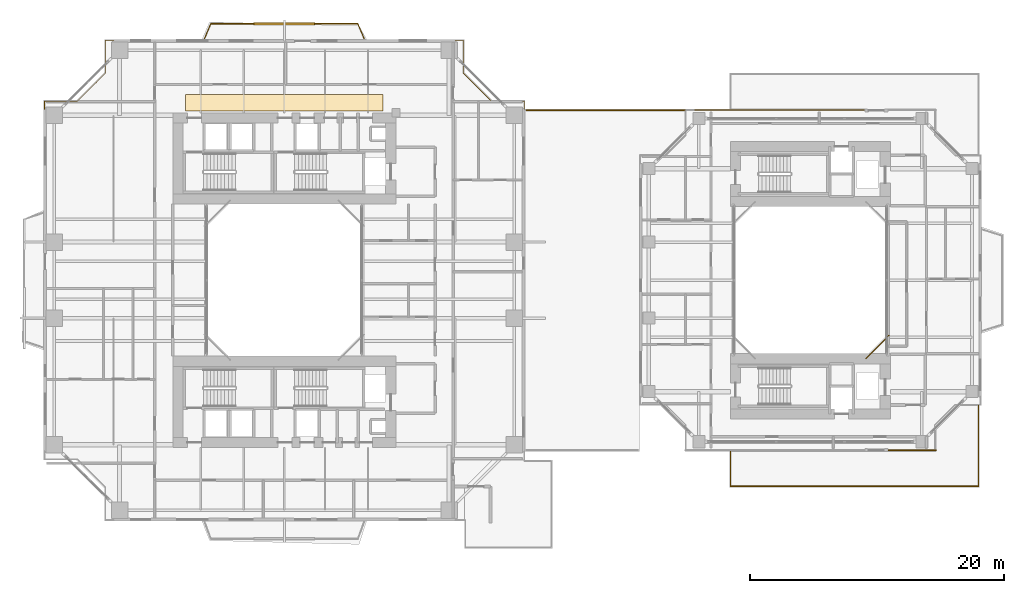
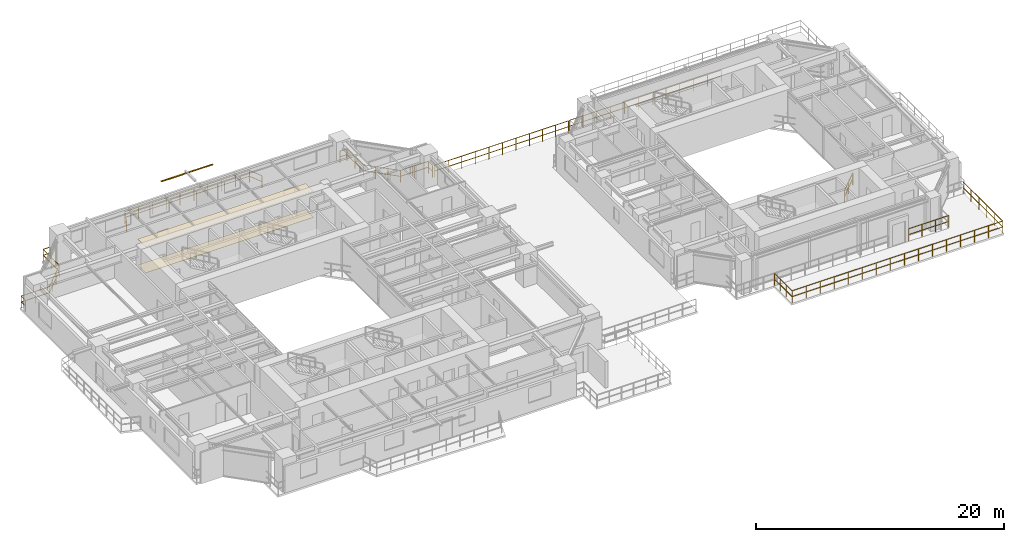
# One storey, part 21 of 22: 9 railings, 2 coverings, 1 shading device.
"""IFC4 building model written with IfcOpenShell, lengths in metres."""

from ifc_helpers import new_model, si_unit, direction, frame, origin, origin_2d, place, context, subcontext, project, spatial, polyline, rectangle, outline, extrude, source, transform, mapped, material, layer, layer_set, material_profile, profile_set, type_object, element, save


model = new_model("IFC4")

# Units and contexts
model_context = context("Model", 3, precision=1e-05, world=origin(), true_north=direction((0.0, 1.0)))
body_context = subcontext(model_context, "Body", "Model", "MODEL_VIEW")
ifc_project = project(units=[si_unit("LENGTHUNIT", "METRE"), si_unit("AREAUNIT", "SQUARE_METRE"), si_unit("VOLUMEUNIT", "CUBIC_METRE"), si_unit("PLANEANGLEUNIT", "RADIAN"), si_unit("MASSUNIT", "GRAM", prefix="KILO"), si_unit("THERMODYNAMICTEMPERATUREUNIT", "KELVIN"), si_unit("POWERUNIT", "WATT")], contexts=[model_context])

# Site, building, storey
site_placement = place(None, origin())
site = spatial("IfcSite", under=ifc_project, at=site_placement, CompositionType="ELEMENT")
building_placement = place(site_placement, origin())
building = spatial("IfcBuilding", under=site, at=building_placement, Name="Qiaomeng Ring Towers", CompositionType="ELEMENT")
storey_placement = place(building_placement, frame((0.0, 0.0, 23.0)))
storey = spatial("IfcBuildingStorey", under=building, at=storey_placement, Name="L05", CompositionType="ELEMENT", Elevation=23.0)

# Coverings
ifc_material_1 = material(Name="Moisture-resistant gypsum ceiling board", Category="gypsum")
ifc_layer_1 = layer(ifc_material_1, 0.030029296875, Name="Moisture-resistant gypsum ceiling board")
ifc_layer_set_1 = layer_set([ifc_layer_1], Name="Moisture-resistant gypsum ceiling board")
covering_type_1 = type_object("IfcCoveringType", Name="ARC-COV-CEIL2", PredefinedType="CEILING", material=ifc_layer_set_1)
covering_1_placement = place(storey_placement, frame((0.0, 0.0, 2.550048828125)))
element("IfcCovering", 1, at=covering_1_placement, inside=storey, type_object=covering_type_1, Name="L05 Corridor Acoustic Ceiling", PredefinedType="CEILING", context=body_context, shape_type="SweptSolid", body=[
    extrude(outline(polyline([(11.199951171875, 36.35009765625), (11.199951171875, 37.64990234375), (26.800048828125, 37.64990234375), (26.800048828125, 36.35009765625), (11.199951171875, 36.35009765625)])), origin(), (0.0, 0.0, 1.0), 0.02490234375),
])
ifc_material_2 = material(Name="Vitrified porcelain floor tile", Category="ceramic")
ifc_layer_2 = layer(ifc_material_2, 0.02001953125, Name="Vitrified porcelain floor tile")
ifc_layer_set_2 = layer_set([ifc_layer_2], Name="Vitrified porcelain floor tile")
covering_type_2 = type_object("IfcCoveringType", Name="ARC-COV-FLR1", PredefinedType="FLOORING", material=ifc_layer_set_2)
covering_2_placement = place(storey_placement, origin())
element("IfcCovering", 2, at=covering_2_placement, inside=storey, type_object=covering_type_2, Name="L05 Corridor Stone Flooring", PredefinedType="FLOORING", context=body_context, shape_type="SweptSolid", body=[
    extrude(outline(polyline([(11.199951171875, 36.35009765625), (11.199951171875, 37.64990234375), (26.800048828125, 37.64990234375), (26.800048828125, 36.35009765625), (11.199951171875, 36.35009765625)])), origin(), (0.0, 0.0, 1.0), 0.02001953125),
])

# Railings
ifc_material_3 = material(Name="Low-E pale-green laminated safety glass", Category="glass")
railing_type = type_object("IfcRailingType", Name="ARC-RL-BAL1", PredefinedType="BALUSTRADE", material=ifc_material_3)
railing_1_placement = place(storey_placement, frame((38.10009765625, 36.39990234375, 0.0)))
element("IfcRailing", 3, at=railing_1_placement, inside=storey, type_object=railing_type, Name="L05 Balustrade ARC-BAL-L05-POD-N", PredefinedType="BALUSTRADE", context=body_context, shape_type="SweptSolid", body=[
    extrude(rectangle(XDim=0.048095703125, YDim=0.048095703125, at=origin_2d()), frame((0.0, 0.0, 1.17578125), z_axis=(1.0, 0.0, 0.0), x_axis=(0.0, 1.0, 0.0)), (0.0, 0.0, 1.0), 8.7998046875),
    extrude(rectangle(XDim=0.048095703125, YDim=0.048095703125, at=origin_2d()), frame((0.0, 0.0, 0.60009765625), z_axis=(1.0, 0.0, 0.0), x_axis=(0.0, 1.0, 0.0)), (0.0, 0.0, 1.0), 8.7998046875),
    extrude(rectangle(XDim=0.0419921875, YDim=0.0419921875, at=origin_2d()), origin(), (0.0, 0.0, 1.0), 1.15185546875),
    extrude(rectangle(XDim=0.0419921875, YDim=0.0419921875, at=origin_2d()), frame((1.257080078125, 0.0, 0.0)), (0.0, 0.0, 1.0), 1.15185546875),
    extrude(rectangle(XDim=0.0419921875, YDim=0.0419921875, at=origin_2d()), frame((2.51416015625, 0.0, 0.0)), (0.0, 0.0, 1.0), 1.15185546875),
    extrude(rectangle(XDim=0.0419921875, YDim=0.0419921875, at=origin_2d()), frame((3.771240234375, 0.0, 0.0)), (0.0, 0.0, 1.0), 1.15185546875),
    extrude(rectangle(XDim=0.0419921875, YDim=0.0419921875, at=origin_2d()), frame((5.028564453125, 0.0, 0.0)), (0.0, 0.0, 1.0), 1.15185546875),
    extrude(rectangle(XDim=0.0419921875, YDim=0.0419921875, at=origin_2d()), frame((6.28564453125, 0.0, 0.0)), (0.0, 0.0, 1.0), 1.15185546875),
    extrude(rectangle(XDim=0.0419921875, YDim=0.0419921875, at=origin_2d()), frame((7.542724609375, 0.0, 0.0)), (0.0, 0.0, 1.0), 1.15185546875),
    extrude(rectangle(XDim=0.0419921875, YDim=0.0419921875, at=origin_2d()), frame((8.7998046875, 0.0, 0.0)), (0.0, 0.0, 1.0), 1.15185546875),
])
railing_2_placement = place(storey_placement, frame((37.919921875, 36.469970703125, 0.0)))
element("IfcRailing", 4, at=railing_2_placement, inside=storey, type_object=railing_type, Name="L05 Balustrade ARC-BAL-NOTCH1-L05-NE", PredefinedType="BALUSTRADE", context=body_context, shape_type="SweptSolid", body=[
    extrude(rectangle(XDim=0.048095703125, YDim=0.048095703125, at=origin_2d()), frame((0.0, 0.0, 1.17578125), z_axis=(0.0, 1.0, 0.0), x_axis=(-1.0, 0.0, 0.0)), (0.0, 0.0, 1.0), 0.650146484375),
    extrude(rectangle(XDim=0.048095703125, YDim=0.048095703125, at=origin_2d()), frame((0.0, 0.0, 0.60009765625), z_axis=(0.0, 1.0, 0.0), x_axis=(-1.0, 0.0, 0.0)), (0.0, 0.0, 1.0), 0.650146484375),
    extrude(rectangle(XDim=0.048095703125, YDim=0.048095703125, at=origin_2d()), frame((0.0, 0.650146484375, 1.17578125), z_axis=(-1.0, 0.0, 0.0), x_axis=(0.0, -1.0, 0.0)), (0.0, 0.0, 1.0), 2.599853515625),
    extrude(rectangle(XDim=0.048095703125, YDim=0.048095703125, at=origin_2d()), frame((0.0, 0.650146484375, 0.60009765625), z_axis=(-1.0, 0.0, 0.0), x_axis=(0.0, -1.0, 0.0)), (0.0, 0.0, 1.0), 2.599853515625),
    extrude(rectangle(XDim=0.048095703125, YDim=0.048095703125, at=origin_2d()), frame((-2.599853515625, 0.650146484375, 1.17578125), z_axis=(-0.707106781187, 0.707106781187, 0.0), x_axis=(-0.707106781187, -0.707106781187, 0.0)), (0.0, 0.0, 1.0), 3.111083984375),
    extrude(rectangle(XDim=0.048095703125, YDim=0.048095703125, at=origin_2d()), frame((-2.599853515625, 0.650146484375, 0.60009765625), z_axis=(-0.707106781187, 0.707106781187, 0.0), x_axis=(-0.707106781187, -0.707106781187, 0.0)), (0.0, 0.0, 1.0), 3.111083984375),
    extrude(rectangle(XDim=0.048095703125, YDim=0.048095703125, at=origin_2d()), frame((-4.7998046875, 2.85009765625, 1.17578125), z_axis=(0.0, 1.0, 0.0), x_axis=(-1.0, 0.0, 0.0)), (0.0, 0.0, 1.0), 2.599853515625),
    extrude(rectangle(XDim=0.048095703125, YDim=0.048095703125, at=origin_2d()), frame((-4.7998046875, 2.85009765625, 0.60009765625), z_axis=(0.0, 1.0, 0.0), x_axis=(-1.0, 0.0, 0.0)), (0.0, 0.0, 1.0), 2.599853515625),
    extrude(rectangle(XDim=0.048095703125, YDim=0.048095703125, at=origin_2d()), frame((-4.7998046875, 5.449951171875, 1.17578125), z_axis=(-1.0, 0.0, 0.0), x_axis=(0.0, -1.0, 0.0)), (0.0, 0.0, 1.0), 0.650146484375),
    extrude(rectangle(XDim=0.048095703125, YDim=0.048095703125, at=origin_2d()), frame((-4.7998046875, 5.449951171875, 0.60009765625), z_axis=(-1.0, 0.0, 0.0), x_axis=(0.0, -1.0, 0.0)), (0.0, 0.0, 1.0), 0.650146484375),
    extrude(rectangle(XDim=0.0419921875, YDim=0.0419921875, at=origin_2d()), origin(), (0.0, 0.0, 1.0), 1.15185546875),
    extrude(rectangle(XDim=0.0419921875, YDim=0.0419921875, at=origin_2d()), frame((0.0, 0.650146484375, 0.0)), (0.0, 0.0, 1.0), 1.15185546875),
    extrude(rectangle(XDim=0.0419921875, YDim=0.0419921875, at=origin_2d()), frame((-1.2998046875, 0.650146484375, 0.0)), (0.0, 0.0, 1.0), 1.15185546875),
    extrude(rectangle(XDim=0.0419921875, YDim=0.0419921875, at=origin_2d()), frame((-2.599853515625, 0.650146484375, 0.0)), (0.0, 0.0, 1.0), 1.15185546875),
    extrude(rectangle(XDim=0.0419921875, YDim=0.0419921875, at=origin_2d()), frame((-3.333251953125, 1.383544921875, 0.0)), (0.0, 0.0, 1.0), 1.15185546875),
    extrude(rectangle(XDim=0.0419921875, YDim=0.0419921875, at=origin_2d()), frame((-4.06640625, 2.11669921875, 0.0)), (0.0, 0.0, 1.0), 1.15185546875),
    extrude(rectangle(XDim=0.0419921875, YDim=0.0419921875, at=origin_2d()), frame((-4.7998046875, 2.85009765625, 0.0)), (0.0, 0.0, 1.0), 1.15185546875),
    extrude(rectangle(XDim=0.0419921875, YDim=0.0419921875, at=origin_2d()), frame((-4.7998046875, 4.14990234375, 0.0)), (0.0, 0.0, 1.0), 1.15185546875),
    extrude(rectangle(XDim=0.0419921875, YDim=0.0419921875, at=origin_2d()), frame((-4.7998046875, 5.449951171875, 0.0)), (0.0, 0.0, 1.0), 1.15185546875),
    extrude(rectangle(XDim=0.0419921875, YDim=0.0419921875, at=origin_2d()), frame((-5.449951171875, 5.449951171875, 0.0)), (0.0, 0.0, 1.0), 1.15185546875),
])
railing_3_placement = place(storey_placement, frame((5.530029296875, 41.919921875, 0.0)))
element("IfcRailing", 5, at=railing_3_placement, inside=storey, type_object=railing_type, Name="L05 Balustrade ARC-BAL-NOTCH1-L05-NW", PredefinedType="BALUSTRADE", context=body_context, shape_type="SweptSolid", body=[
    extrude(rectangle(XDim=0.048095703125, YDim=0.048095703125, at=origin_2d()), frame((0.0, 0.0, 1.17578125), z_axis=(-1.0, 0.0, 0.0), x_axis=(0.0, -1.0, 0.0)), (0.0, 0.0, 1.0), 0.650146484375),
    extrude(rectangle(XDim=0.048095703125, YDim=0.048095703125, at=origin_2d()), frame((0.0, 0.0, 0.60009765625), z_axis=(-1.0, 0.0, 0.0), x_axis=(0.0, -1.0, 0.0)), (0.0, 0.0, 1.0), 0.650146484375),
    extrude(rectangle(XDim=0.048095703125, YDim=0.048095703125, at=origin_2d()), frame((-0.650146484375, 0.0, 1.17578125), z_axis=(0.0, -1.0, 0.0), x_axis=(1.0, 0.0, 0.0)), (0.0, 0.0, 1.0), 2.599853515625),
    extrude(rectangle(XDim=0.048095703125, YDim=0.048095703125, at=origin_2d()), frame((-0.650146484375, 0.0, 0.60009765625), z_axis=(0.0, -1.0, 0.0), x_axis=(1.0, 0.0, 0.0)), (0.0, 0.0, 1.0), 2.599853515625),
    extrude(rectangle(XDim=0.048095703125, YDim=0.048095703125, at=origin_2d()), frame((-0.650146484375, -2.599853515625, 1.17578125), z_axis=(-0.707106781187, -0.707106781187, 0.0), x_axis=(0.707106781187, -0.707106781187, 0.0)), (0.0, 0.0, 1.0), 3.111083984375),
    extrude(rectangle(XDim=0.048095703125, YDim=0.048095703125, at=origin_2d()), frame((-0.650146484375, -2.599853515625, 0.60009765625), z_axis=(-0.707106781187, -0.707106781187, 0.0), x_axis=(0.707106781187, -0.707106781187, 0.0)), (0.0, 0.0, 1.0), 3.111083984375),
    extrude(rectangle(XDim=0.048095703125, YDim=0.048095703125, at=origin_2d()), frame((-2.85009765625, -4.7998046875, 1.17578125), z_axis=(-1.0, 0.0, 0.0), x_axis=(0.0, -1.0, 0.0)), (0.0, 0.0, 1.0), 2.599853515625),
    extrude(rectangle(XDim=0.048095703125, YDim=0.048095703125, at=origin_2d()), frame((-2.85009765625, -4.7998046875, 0.60009765625), z_axis=(-1.0, 0.0, 0.0), x_axis=(0.0, -1.0, 0.0)), (0.0, 0.0, 1.0), 2.599853515625),
    extrude(rectangle(XDim=0.048095703125, YDim=0.048095703125, at=origin_2d()), frame((-5.449951171875, -4.7998046875, 1.17578125), z_axis=(0.0, -1.0, 0.0), x_axis=(1.0, 0.0, 0.0)), (0.0, 0.0, 1.0), 0.650146484375),
    extrude(rectangle(XDim=0.048095703125, YDim=0.048095703125, at=origin_2d()), frame((-5.449951171875, -4.7998046875, 0.60009765625), z_axis=(0.0, -1.0, 0.0), x_axis=(1.0, 0.0, 0.0)), (0.0, 0.0, 1.0), 0.650146484375),
    extrude(rectangle(XDim=0.0419921875, YDim=0.0419921875, at=origin_2d()), origin(), (0.0, 0.0, 1.0), 1.15185546875),
    extrude(rectangle(XDim=0.0419921875, YDim=0.0419921875, at=origin_2d()), frame((-0.650146484375, 0.0, 0.0)), (0.0, 0.0, 1.0), 1.15185546875),
    extrude(rectangle(XDim=0.0419921875, YDim=0.0419921875, at=origin_2d()), frame((-0.650146484375, -1.2998046875, 0.0)), (0.0, 0.0, 1.0), 1.15185546875),
    extrude(rectangle(XDim=0.0419921875, YDim=0.0419921875, at=origin_2d()), frame((-0.650146484375, -2.599853515625, 0.0)), (0.0, 0.0, 1.0), 1.15185546875),
    extrude(rectangle(XDim=0.0419921875, YDim=0.0419921875, at=origin_2d()), frame((-1.383544921875, -3.333251953125, 0.0)), (0.0, 0.0, 1.0), 1.15185546875),
    extrude(rectangle(XDim=0.0419921875, YDim=0.0419921875, at=origin_2d()), frame((-2.11669921875, -4.06640625, 0.0)), (0.0, 0.0, 1.0), 1.15185546875),
    extrude(rectangle(XDim=0.0419921875, YDim=0.0419921875, at=origin_2d()), frame((-2.85009765625, -4.7998046875, 0.0)), (0.0, 0.0, 1.0), 1.15185546875),
    extrude(rectangle(XDim=0.0419921875, YDim=0.0419921875, at=origin_2d()), frame((-4.14990234375, -4.7998046875, 0.0)), (0.0, 0.0, 1.0), 1.15185546875),
    extrude(rectangle(XDim=0.0419921875, YDim=0.0419921875, at=origin_2d()), frame((-5.449951171875, -4.7998046875, 0.0)), (0.0, 0.0, 1.0), 1.15185546875),
    extrude(rectangle(XDim=0.0419921875, YDim=0.0419921875, at=origin_2d()), frame((-5.449951171875, -5.449951171875, 0.0)), (0.0, 0.0, 1.0), 1.15185546875),
])
railing_4_placement = place(storey_placement, frame((12.699951171875, 42.050048828125, 0.0)))
element("IfcRailing", 6, at=railing_4_placement, inside=storey, type_object=railing_type, Name="L05 Balustrade ARC-BAL-L05-T1-N", PredefinedType="BALUSTRADE", context=body_context, shape_type="SweptSolid", body=[
    extrude(rectangle(XDim=0.048095703125, YDim=0.048095703125, at=origin_2d()), frame((0.0, 0.0, 1.17578125), z_axis=(0.39299272826, 0.919541579014, 0.0), x_axis=(-0.919541579014, 0.39299272826, 0.0)), (0.0, 0.0, 1.0), 1.272216796875),
    extrude(rectangle(XDim=0.048095703125, YDim=0.048095703125, at=origin_2d()), frame((0.0, 0.0, 0.60009765625), z_axis=(0.39299272826, 0.919541579014, 0.0), x_axis=(-0.919541579014, 0.39299272826, 0.0)), (0.0, 0.0, 1.0), 1.272216796875),
    extrude(rectangle(XDim=0.048095703125, YDim=0.048095703125, at=origin_2d()), frame((0.5, 1.169921875, 1.17578125), z_axis=(1.0, 0.0, 0.0), x_axis=(0.0, 1.0, 0.0)), (0.0, 0.0, 1.0), 11.60009765625),
    extrude(rectangle(XDim=0.048095703125, YDim=0.048095703125, at=origin_2d()), frame((0.5, 1.169921875, 0.60009765625), z_axis=(1.0, 0.0, 0.0), x_axis=(0.0, 1.0, 0.0)), (0.0, 0.0, 1.0), 11.60009765625),
    extrude(rectangle(XDim=0.048095703125, YDim=0.048095703125, at=origin_2d()), frame((12.10009765625, 1.169921875, 1.17578125), z_axis=(0.39299272826, -0.919541579014, 0.0), x_axis=(0.919541579014, 0.39299272826, 0.0)), (0.0, 0.0, 1.0), 1.272216796875),
    extrude(rectangle(XDim=0.048095703125, YDim=0.048095703125, at=origin_2d()), frame((12.10009765625, 1.169921875, 0.60009765625), z_axis=(0.39299272826, -0.919541579014, 0.0), x_axis=(0.919541579014, 0.39299272826, 0.0)), (0.0, 0.0, 1.0), 1.272216796875),
    extrude(rectangle(XDim=0.0419921875, YDim=0.0419921875, at=origin_2d()), origin(), (0.0, 0.0, 1.0), 1.15185546875),
    extrude(rectangle(XDim=0.0419921875, YDim=0.0419921875, at=origin_2d()), frame((0.5, 1.169921875, 0.0)), (0.0, 0.0, 1.0), 1.15185546875),
    extrude(rectangle(XDim=0.0419921875, YDim=0.0419921875, at=origin_2d()), frame((1.788818359375, 1.169921875, 0.0)), (0.0, 0.0, 1.0), 1.15185546875),
    extrude(rectangle(XDim=0.0419921875, YDim=0.0419921875, at=origin_2d()), frame((3.077880859375, 1.169921875, 0.0)), (0.0, 0.0, 1.0), 1.15185546875),
    extrude(rectangle(XDim=0.0419921875, YDim=0.0419921875, at=origin_2d()), frame((4.36669921875, 1.169921875, 0.0)), (0.0, 0.0, 1.0), 1.15185546875),
    extrude(rectangle(XDim=0.0419921875, YDim=0.0419921875, at=origin_2d()), frame((5.655517578125, 1.169921875, 0.0)), (0.0, 0.0, 1.0), 1.15185546875),
    extrude(rectangle(XDim=0.0419921875, YDim=0.0419921875, at=origin_2d()), frame((6.944580078125, 1.169921875, 0.0)), (0.0, 0.0, 1.0), 1.15185546875),
    extrude(rectangle(XDim=0.0419921875, YDim=0.0419921875, at=origin_2d()), frame((8.2333984375, 1.169921875, 0.0)), (0.0, 0.0, 1.0), 1.15185546875),
    extrude(rectangle(XDim=0.0419921875, YDim=0.0419921875, at=origin_2d()), frame((9.522216796875, 1.169921875, 0.0)), (0.0, 0.0, 1.0), 1.15185546875),
    extrude(rectangle(XDim=0.0419921875, YDim=0.0419921875, at=origin_2d()), frame((10.811279296875, 1.169921875, 0.0)), (0.0, 0.0, 1.0), 1.15185546875),
    extrude(rectangle(XDim=0.0419921875, YDim=0.0419921875, at=origin_2d()), frame((12.10009765625, 1.169921875, 0.0)), (0.0, 0.0, 1.0), 1.15185546875),
    extrude(rectangle(XDim=0.0419921875, YDim=0.0419921875, at=origin_2d()), frame((12.60009765625, 0.0, 0.0)), (0.0, 0.0, 1.0), 1.15185546875),
])
railing_5_placement = place(storey_placement, frame((64.8798828125, 16.820068359375, 0.0)))
element("IfcRailing", 7, at=railing_5_placement, inside=storey, type_object=railing_type, Name="L05 Balustrade ARC-BAL-WELL2-L05-1", PredefinedType="BALUSTRADE", context=body_context, shape_type="SweptSolid", body=[
    extrude(rectangle(XDim=0.048095703125, YDim=0.048095703125, at=origin_2d()), frame((0.0, 0.0, 1.17578125), z_axis=(0.707106781187, 0.707106781187, 0.0), x_axis=(-0.707106781187, 0.707106781187, 0.0)), (0.0, 0.0, 1.0), 2.545654296875),
    extrude(rectangle(XDim=0.048095703125, YDim=0.048095703125, at=origin_2d()), frame((0.0, 0.0, 0.60009765625), z_axis=(0.707106781187, 0.707106781187, 0.0), x_axis=(-0.707106781187, 0.707106781187, 0.0)), (0.0, 0.0, 1.0), 2.545654296875),
    extrude(rectangle(XDim=0.0419921875, YDim=0.0419921875, at=origin_2d()), origin(), (0.0, 0.0, 1.0), 1.15185546875),
    extrude(rectangle(XDim=0.0419921875, YDim=0.0419921875, at=origin_2d()), frame((0.89990234375, 0.89990234375, 0.0)), (0.0, 0.0, 1.0), 1.15185546875),
    extrude(rectangle(XDim=0.0419921875, YDim=0.0419921875, at=origin_2d()), frame((1.800048828125, 1.800048828125, 0.0)), (0.0, 0.0, 1.0), 1.15185546875),
])
railing_6_placement = place(storey_placement, frame((50.60009765625, 36.419921875, 0.0)))
element("IfcRailing", 8, at=railing_6_placement, inside=storey, type_object=railing_type, Name="L05 Balustrade ARC-BAL-T2N-L05", PredefinedType="BALUSTRADE", context=body_context, shape_type="SweptSolid", body=[
    extrude(rectangle(XDim=0.048095703125, YDim=0.048095703125, at=origin_2d()), frame((0.0, 0.0, 1.17578125), z_axis=(1.0, 0.0, 0.0), x_axis=(0.0, 1.0, 0.0)), (0.0, 0.0, 1.0), 14.139892578125),
    extrude(rectangle(XDim=0.048095703125, YDim=0.048095703125, at=origin_2d()), frame((0.0, 0.0, 0.60009765625), z_axis=(1.0, 0.0, 0.0), x_axis=(0.0, 1.0, 0.0)), (0.0, 0.0, 1.0), 14.139892578125),
    extrude(rectangle(XDim=0.0419921875, YDim=0.0419921875, at=origin_2d()), origin(), (0.0, 0.0, 1.0), 1.15185546875),
    extrude(rectangle(XDim=0.0419921875, YDim=0.0419921875, at=origin_2d()), frame((1.285400390625, 0.0, 0.0)), (0.0, 0.0, 1.0), 1.15185546875),
    extrude(rectangle(XDim=0.0419921875, YDim=0.0419921875, at=origin_2d()), frame((2.57080078125, 0.0, 0.0)), (0.0, 0.0, 1.0), 1.15185546875),
    extrude(rectangle(XDim=0.0419921875, YDim=0.0419921875, at=origin_2d()), frame((3.8564453125, 0.0, 0.0)), (0.0, 0.0, 1.0), 1.15185546875),
    extrude(rectangle(XDim=0.0419921875, YDim=0.0419921875, at=origin_2d()), frame((5.141845703125, 0.0, 0.0)), (0.0, 0.0, 1.0), 1.15185546875),
    extrude(rectangle(XDim=0.0419921875, YDim=0.0419921875, at=origin_2d()), frame((6.42724609375, 0.0, 0.0)), (0.0, 0.0, 1.0), 1.15185546875),
    extrude(rectangle(XDim=0.0419921875, YDim=0.0419921875, at=origin_2d()), frame((7.712646484375, 0.0, 0.0)), (0.0, 0.0, 1.0), 1.15185546875),
    extrude(rectangle(XDim=0.0419921875, YDim=0.0419921875, at=origin_2d()), frame((8.998046875, 0.0, 0.0)), (0.0, 0.0, 1.0), 1.15185546875),
    extrude(rectangle(XDim=0.0419921875, YDim=0.0419921875, at=origin_2d()), frame((10.283447265625, 0.0, 0.0)), (0.0, 0.0, 1.0), 1.15185546875),
    extrude(rectangle(XDim=0.0419921875, YDim=0.0419921875, at=origin_2d()), frame((11.569091796875, 0.0, 0.0)), (0.0, 0.0, 1.0), 1.15185546875),
    extrude(rectangle(XDim=0.0419921875, YDim=0.0419921875, at=origin_2d()), frame((12.8544921875, 0.0, 0.0)), (0.0, 0.0, 1.0), 1.15185546875),
    extrude(rectangle(XDim=0.0419921875, YDim=0.0419921875, at=origin_2d()), frame((14.139892578125, 0.0, 0.0)), (0.0, 0.0, 1.0), 1.15185546875),
])
railing_7_placement = place(storey_placement, frame((66.659912109375, 9.580078125, 0.0)))
element("IfcRailing", 9, at=railing_7_placement, inside=storey, type_object=railing_type, Name="L05 Balustrade ARC-BAL-T2S-L05-B", PredefinedType="BALUSTRADE", context=body_context, shape_type="SweptSolid", body=[
    extrude(rectangle(XDim=0.048095703125, YDim=0.048095703125, at=origin_2d()), frame((0.0, 0.0, 1.17578125), z_axis=(1.0, 0.0, 0.0), x_axis=(0.0, 1.0, 0.0)), (0.0, 0.0, 1.0), 3.739990234375),
    extrude(rectangle(XDim=0.048095703125, YDim=0.048095703125, at=origin_2d()), frame((0.0, 0.0, 0.60009765625), z_axis=(1.0, 0.0, 0.0), x_axis=(0.0, 1.0, 0.0)), (0.0, 0.0, 1.0), 3.739990234375),
    extrude(rectangle(XDim=0.0419921875, YDim=0.0419921875, at=origin_2d()), origin(), (0.0, 0.0, 1.0), 1.15185546875),
    extrude(rectangle(XDim=0.0419921875, YDim=0.0419921875, at=origin_2d()), frame((1.24658203125, 0.0, 0.0)), (0.0, 0.0, 1.0), 1.15185546875),
    extrude(rectangle(XDim=0.0419921875, YDim=0.0419921875, at=origin_2d()), frame((2.493408203125, 0.0, 0.0)), (0.0, 0.0, 1.0), 1.15185546875),
    extrude(rectangle(XDim=0.0419921875, YDim=0.0419921875, at=origin_2d()), frame((3.739990234375, 0.0, 0.0)), (0.0, 0.0, 1.0), 1.15185546875),
])
railing_8_placement = place(storey_placement, frame((54.18994140625, 9.580078125, 0.0)))
element("IfcRailing", 10, at=railing_8_placement, inside=storey, type_object=railing_type, Name="L05 Balustrade ARC-BAL-L05-RF1", PredefinedType="BALUSTRADE", context=body_context, shape_type="SweptSolid", body=[
    extrude(rectangle(XDim=0.048095703125, YDim=0.048095703125, at=origin_2d()), frame((0.0, 0.0, 1.17578125), z_axis=(0.0, -1.0, 0.0), x_axis=(1.0, 0.0, 0.0)), (0.0, 0.0, 1.0), 2.840087890625),
    extrude(rectangle(XDim=0.048095703125, YDim=0.048095703125, at=origin_2d()), frame((0.0, 0.0, 0.60009765625), z_axis=(0.0, -1.0, 0.0), x_axis=(1.0, 0.0, 0.0)), (0.0, 0.0, 1.0), 2.840087890625),
    extrude(rectangle(XDim=0.048095703125, YDim=0.048095703125, at=origin_2d()), frame((0.0, -2.840087890625, 1.17578125), z_axis=(1.0, 0.0, 0.0), x_axis=(0.0, 1.0, 0.0)), (0.0, 0.0, 1.0), 19.570068359375),
    extrude(rectangle(XDim=0.048095703125, YDim=0.048095703125, at=origin_2d()), frame((0.0, -2.840087890625, 0.60009765625), z_axis=(1.0, 0.0, 0.0), x_axis=(0.0, 1.0, 0.0)), (0.0, 0.0, 1.0), 19.570068359375),
    extrude(rectangle(XDim=0.048095703125, YDim=0.048095703125, at=origin_2d()), frame((19.570068359375, -2.840087890625, 1.17578125), z_axis=(0.0, 1.0, 0.0), x_axis=(-1.0, 0.0, 0.0)), (0.0, 0.0, 1.0), 6.360107421875),
    extrude(rectangle(XDim=0.048095703125, YDim=0.048095703125, at=origin_2d()), frame((19.570068359375, -2.840087890625, 0.60009765625), z_axis=(0.0, 1.0, 0.0), x_axis=(-1.0, 0.0, 0.0)), (0.0, 0.0, 1.0), 6.360107421875),
    extrude(rectangle(XDim=0.0419921875, YDim=0.0419921875, at=origin_2d()), origin(), (0.0, 0.0, 1.0), 1.15185546875),
    extrude(rectangle(XDim=0.0419921875, YDim=0.0419921875, at=origin_2d()), frame((0.0, -0.94677734375, 0.0)), (0.0, 0.0, 1.0), 1.15185546875),
    extrude(rectangle(XDim=0.0419921875, YDim=0.0419921875, at=origin_2d()), frame((0.0, -1.893310546875, 0.0)), (0.0, 0.0, 1.0), 1.15185546875),
    extrude(rectangle(XDim=0.0419921875, YDim=0.0419921875, at=origin_2d()), frame((0.0, -2.840087890625, 0.0)), (0.0, 0.0, 1.0), 1.15185546875),
    extrude(rectangle(XDim=0.0419921875, YDim=0.0419921875, at=origin_2d()), frame((1.3046875, -2.840087890625, 0.0)), (0.0, 0.0, 1.0), 1.15185546875),
    extrude(rectangle(XDim=0.0419921875, YDim=0.0419921875, at=origin_2d()), frame((2.609375, -2.840087890625, 0.0)), (0.0, 0.0, 1.0), 1.15185546875),
    extrude(rectangle(XDim=0.0419921875, YDim=0.0419921875, at=origin_2d()), frame((3.9140625, -2.840087890625, 0.0)), (0.0, 0.0, 1.0), 1.15185546875),
    extrude(rectangle(XDim=0.0419921875, YDim=0.0419921875, at=origin_2d()), frame((5.21875, -2.840087890625, 0.0)), (0.0, 0.0, 1.0), 1.15185546875),
    extrude(rectangle(XDim=0.0419921875, YDim=0.0419921875, at=origin_2d()), frame((6.5234375, -2.840087890625, 0.0)), (0.0, 0.0, 1.0), 1.15185546875),
    extrude(rectangle(XDim=0.0419921875, YDim=0.0419921875, at=origin_2d()), frame((7.828125, -2.840087890625, 0.0)), (0.0, 0.0, 1.0), 1.15185546875),
    extrude(rectangle(XDim=0.0419921875, YDim=0.0419921875, at=origin_2d()), frame((9.1328125, -2.840087890625, 0.0)), (0.0, 0.0, 1.0), 1.15185546875),
    extrude(rectangle(XDim=0.0419921875, YDim=0.0419921875, at=origin_2d()), frame((10.437255859375, -2.840087890625, 0.0)), (0.0, 0.0, 1.0), 1.15185546875),
    extrude(rectangle(XDim=0.0419921875, YDim=0.0419921875, at=origin_2d()), frame((11.741943359375, -2.840087890625, 0.0)), (0.0, 0.0, 1.0), 1.15185546875),
    extrude(rectangle(XDim=0.0419921875, YDim=0.0419921875, at=origin_2d()), frame((13.046630859375, -2.840087890625, 0.0)), (0.0, 0.0, 1.0), 1.15185546875),
    extrude(rectangle(XDim=0.0419921875, YDim=0.0419921875, at=origin_2d()), frame((14.351318359375, -2.840087890625, 0.0)), (0.0, 0.0, 1.0), 1.15185546875),
    extrude(rectangle(XDim=0.0419921875, YDim=0.0419921875, at=origin_2d()), frame((15.656005859375, -2.840087890625, 0.0)), (0.0, 0.0, 1.0), 1.15185546875),
    extrude(rectangle(XDim=0.0419921875, YDim=0.0419921875, at=origin_2d()), frame((16.960693359375, -2.840087890625, 0.0)), (0.0, 0.0, 1.0), 1.15185546875),
    extrude(rectangle(XDim=0.0419921875, YDim=0.0419921875, at=origin_2d()), frame((18.265380859375, -2.840087890625, 0.0)), (0.0, 0.0, 1.0), 1.15185546875),
    extrude(rectangle(XDim=0.0419921875, YDim=0.0419921875, at=origin_2d()), frame((19.570068359375, -2.840087890625, 0.0)), (0.0, 0.0, 1.0), 1.15185546875),
    extrude(rectangle(XDim=0.0419921875, YDim=0.0419921875, at=origin_2d()), frame((19.570068359375, -1.568115234375, 0.0)), (0.0, 0.0, 1.0), 1.15185546875),
    extrude(rectangle(XDim=0.0419921875, YDim=0.0419921875, at=origin_2d()), frame((19.570068359375, -0.296142578125, 0.0)), (0.0, 0.0, 1.0), 1.15185546875),
    extrude(rectangle(XDim=0.0419921875, YDim=0.0419921875, at=origin_2d()), frame((19.570068359375, 0.97607421875, 0.0)), (0.0, 0.0, 1.0), 1.15185546875),
    extrude(rectangle(XDim=0.0419921875, YDim=0.0419921875, at=origin_2d()), frame((19.570068359375, 2.248046875, 0.0)), (0.0, 0.0, 1.0), 1.15185546875),
    extrude(rectangle(XDim=0.0419921875, YDim=0.0419921875, at=origin_2d()), frame((19.570068359375, 3.52001953125, 0.0)), (0.0, 0.0, 1.0), 1.15185546875),
])
railing_9_placement = place(storey_placement, frame((46.89990234375, 36.39990234375, 0.0)))
element("IfcRailing", 11, at=railing_9_placement, inside=storey, type_object=railing_type, Name="L05 Balustrade ARC-BAL-L05-POD-N2", PredefinedType="BALUSTRADE", context=body_context, shape_type="SweptSolid", body=[
    extrude(rectangle(XDim=0.048095703125, YDim=0.048095703125, at=origin_2d()), frame((0.0, 0.0, 1.17578125), z_axis=(1.0, 0.0, 0.0), x_axis=(0.0, 1.0, 0.0)), (0.0, 0.0, 1.0), 3.6201171875),
    extrude(rectangle(XDim=0.048095703125, YDim=0.048095703125, at=origin_2d()), frame((0.0, 0.0, 0.60009765625), z_axis=(1.0, 0.0, 0.0), x_axis=(0.0, 1.0, 0.0)), (0.0, 0.0, 1.0), 3.6201171875),
    extrude(rectangle(XDim=0.0419921875, YDim=0.0419921875, at=origin_2d()), origin(), (0.0, 0.0, 1.0), 1.15185546875),
    extrude(rectangle(XDim=0.0419921875, YDim=0.0419921875, at=origin_2d()), frame((1.206787109375, 0.0, 0.0)), (0.0, 0.0, 1.0), 1.15185546875),
    extrude(rectangle(XDim=0.0419921875, YDim=0.0419921875, at=origin_2d()), frame((2.413330078125, 0.0, 0.0)), (0.0, 0.0, 1.0), 1.15185546875),
    extrude(rectangle(XDim=0.0419921875, YDim=0.0419921875, at=origin_2d()), frame((3.6201171875, 0.0, 0.0)), (0.0, 0.0, 1.0), 1.15185546875),
])

# Shading device
ifc_material_4 = material(Name="Fluorocarbon dark-grey aluminium", Category="aluminium")
ifc_material_profile = material_profile(ifc_material_4, rectangle(XDim=0.14990234375, YDim=0.034912109375, at=origin_2d()), Name="LV BLADE 150x35")
ifc_profile_set = profile_set([ifc_material_profile], Name="Fluorocarbon dark-grey aluminium")
shading_device_type = type_object("IfcShadingDeviceType", Name="ARC-SHD-SUN", PredefinedType="AWNING", material=ifc_profile_set)
shared_shape = source(origin(), body_context, "Body", "SweptSolid", [
    extrude(rectangle(XDim=0.14990234375, YDim=0.034912109375, at=origin_2d()), origin(), (0.0, 0.0, 1.0), 4.7998046875),
])
shading_device_placement = place(storey_placement, frame((16.60009765625, 43.219970703125, 2.969970703125), z_axis=(1.0, 0.0, 0.0), x_axis=(0.0, 1.0, 0.0)))
element("IfcShadingDevice", 12, at=shading_device_placement, inside=storey, type_object=shading_device_type, Name="L05 Ventilated Outer-Skin Sunshade N", PredefinedType="AWNING", context=body_context, shape_type="MappedRepresentation", body=[
    mapped(shared_shape, transform((0.0, 0.0, 0.0), x_axis=(1.0, 0.0, 0.0), y_axis=(0.0, 1.0, 0.0), z_axis=(0.0, 0.0, 1.0), scale=1.0)),
])

save(model, "model.ifc")
